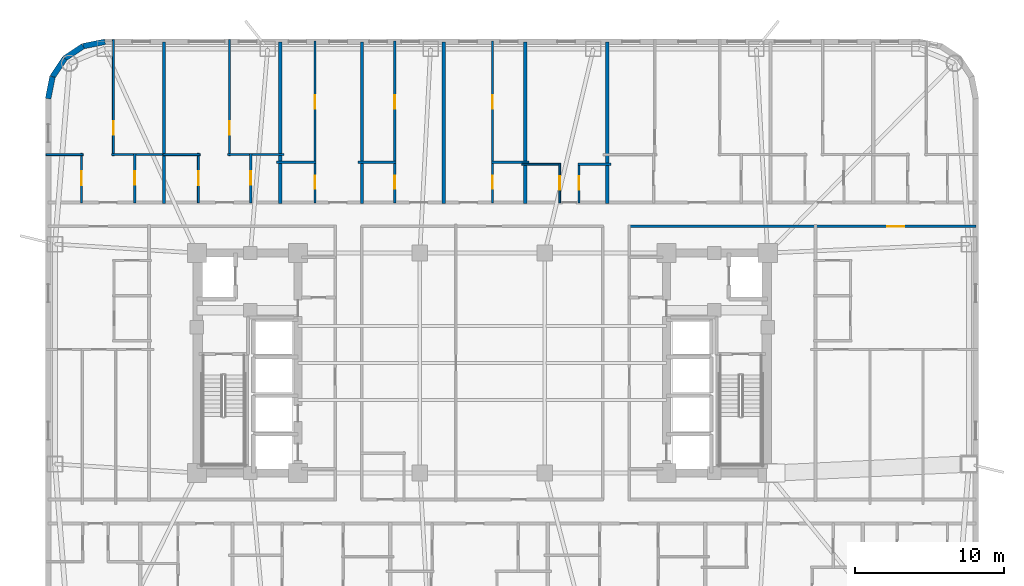
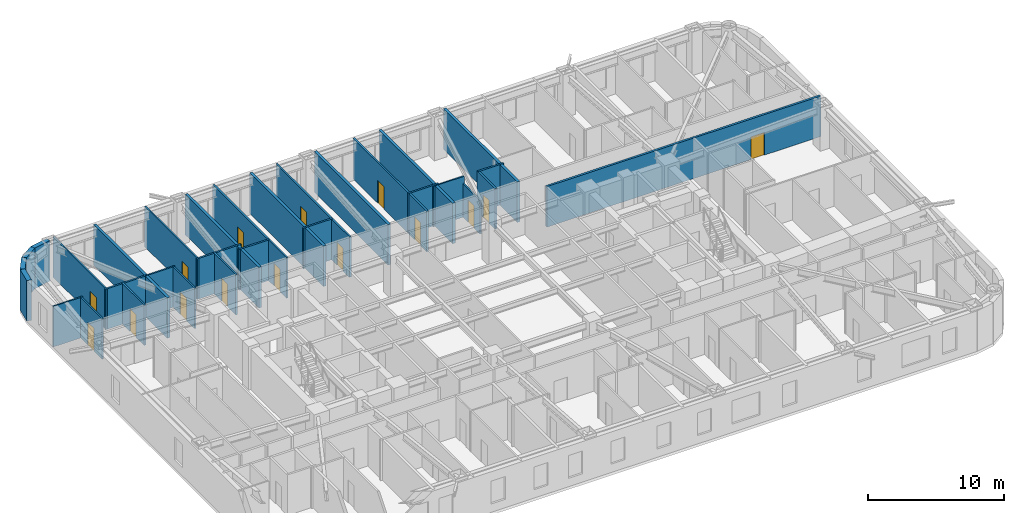
# One storey, part 8 of 12: 34 walls, 15 doors, 15 openings.
"""IFC4 building model written with IfcOpenShell, lengths in metres."""

import ifcopenshell
import ifcopenshell.guid

model = None  # the IFC model being written
_history = None  # IfcOwnerHistory: only IFC2X3 demands one
_inside = {}  # id of a spatial element -> (the spatial element, [elements in it])
_under = {}  # id of a project, library or spatial element -> (it, [spatial elements below it])
_declared = {}  # id of a project -> (the project, [libraries it declares])
_typed = {}  # id of a type object -> (the type object, [elements of that type])
_made_of = {}  # id of a material, layer set ... -> (it, [elements and type objects made of it])


def new_model(schema):
    """Start an empty IFC model of exactly this schema.

    Asked for "IFC4X3", IfcOpenShell would pick the latest addendum, in which some entities
    have other attributes; the version numbers below select the first issue.
    IFC2X3 requires an IfcOwnerHistory on every rooted entity: one is made here for all.
    """
    global model, _history
    if schema == "IFC4X3":
        model = ifcopenshell.file(schema_version=(4, 3, 0, 0))
    else:
        model = ifcopenshell.file(schema=schema)
    _inside.clear()
    _under.clear()
    _declared.clear()
    _typed.clear()
    _made_of.clear()
    _history = None
    if model.schema == "IFC2X3":
        org = make("IfcOrganization", Name="unknown")
        user = make(
            "IfcPersonAndOrganization",
            ThePerson=make("IfcPerson", FamilyName="unknown"),
            TheOrganization=org,
        )
        app = make(
            "IfcApplication",
            ApplicationDeveloper=org,
            Version="unknown",
            ApplicationFullName="unknown",
            ApplicationIdentifier="unknown",
        )
        _history = make(
            "IfcOwnerHistory",
            OwningUser=user,
            OwningApplication=app,
            ChangeAction="ADDED",
            CreationDate=0,
        )
    return model


def make(cls, **values):
    """One entity of the class cls with the attributes given. An attribute that is None is left unset."""
    return model.create_entity(
        cls, **{name: value for name, value in values.items() if value is not None}
    )


def rooted(cls, **values):
    """An entity with a GlobalId (a new one), such as an element, a storey or a relation."""
    return make(cls, GlobalId=ifcopenshell.guid.new(), OwnerHistory=_history, **values)


def si_unit(unit_type, name, prefix=None):
    """IfcSIUnit, for example si_unit("LENGTHUNIT", "METRE", prefix="MILLI")."""
    return make("IfcSIUnit", UnitType=unit_type, Prefix=prefix, Name=name)


def assignment(units):
    """IfcUnitAssignment: the units of a project."""
    return None if units is None else make("IfcUnitAssignment", Units=units)


def point(xyz):
    """IfcCartesianPoint."""
    return None if xyz is None else make("IfcCartesianPoint", Coordinates=xyz)


def direction(xyz):
    """IfcDirection."""
    return None if xyz is None else make("IfcDirection", DirectionRatios=xyz)


def frame(location, z_axis=None, x_axis=None):
    """IfcAxis2Placement3D, a coordinate frame: its origin and axes. An axis left out is left unset."""
    return make(
        "IfcAxis2Placement3D",
        Location=point(location),
        Axis=direction(z_axis),
        RefDirection=direction(x_axis),
    )


def frame_2d(location, x_axis=None):
    """IfcAxis2Placement2D, a coordinate frame in the plane: its origin and x axis."""
    return make(
        "IfcAxis2Placement2D", Location=point(location), RefDirection=direction(x_axis)
    )


def origin():
    """The frame at (0, 0, 0) with its axes left unset."""
    return frame((0.0, 0.0, 0.0))


def place(relative_to, where):
    """IfcLocalPlacement: puts the frame where relative to a parent placement (None: the world)."""
    return make(
        "IfcLocalPlacement", PlacementRelTo=relative_to, RelativePlacement=where
    )


def context(
    kind, dimensions, precision=None, world=None, true_north=None, identifier=None
):
    """IfcGeometricRepresentationContext, for example the 3D "Model" context."""
    return make(
        "IfcGeometricRepresentationContext",
        ContextIdentifier=identifier,
        ContextType=kind,
        CoordinateSpaceDimension=dimensions,
        Precision=precision,
        WorldCoordinateSystem=world,
        TrueNorth=true_north,
    )


def subcontext(parent, identifier, kind, view, scale=None):
    """IfcGeometricRepresentationSubContext, for example "Body" below "Model"."""
    return make(
        "IfcGeometricRepresentationSubContext",
        ContextIdentifier=identifier,
        ContextType=kind,
        ParentContext=parent,
        TargetScale=scale,
        TargetView=view,
    )


def project(units=None, contexts=None):
    """IfcProject with its units and contexts."""
    return rooted(
        "IfcProject",
        Name="project",
        RepresentationContexts=contexts,
        UnitsInContext=assignment(units),
    )


def spatial(cls, under=None, at=None, **own):
    """A site, building, storey or space (cls), placed at a placement, below another one or the project."""
    s = rooted(cls, ObjectPlacement=at, **own)
    if under is not None:
        _under.setdefault(under.id(), (under, []))[1].append(s)
    return s


def profile(cls, at=None, kind="AREA", **sizes):
    """A parametric profile (cls). Its sizes go by their IFC names, for example OverallWidth=200.0."""
    return make(cls, ProfileType=kind, Position=at, **sizes)


def rectangle(**sizes):
    """IfcRectangleProfileDef."""
    return profile("IfcRectangleProfileDef", **sizes)


def extrude(swept, where, along, depth):
    """IfcExtrudedAreaSolid: the profile swept, set in the frame where, extruded along a direction by depth."""
    return make(
        "IfcExtrudedAreaSolid",
        SweptArea=swept,
        Position=where,
        ExtrudedDirection=direction(along),
        Depth=depth,
    )


def shape(context_of_items, identifier, shape_type, items):
    """IfcShapeRepresentation: the items that make up one representation, for example the "Body"."""
    return make(
        "IfcShapeRepresentation",
        ContextOfItems=context_of_items,
        RepresentationIdentifier=identifier,
        RepresentationType=shape_type,
        Items=items,
    )


def material(Name=None, Category=None):
    """IfcMaterial."""
    return make("IfcMaterial", Name=Name, Category=Category)


def layer(
    of_material, thickness, ventilated=None, Name=None, Category=None, Priority=None
):
    """IfcMaterialLayer: one layer of a wall or slab, of a material (None: an air gap)."""
    return make(
        "IfcMaterialLayer",
        Material=of_material,
        LayerThickness=thickness,
        IsVentilated=ventilated,
        Name=Name,
        Category=Category,
        Priority=Priority,
    )


def layer_set(layers, Name=None):
    """IfcMaterialLayerSet."""
    return make("IfcMaterialLayerSet", MaterialLayers=layers, LayerSetName=Name)


def made_of(thing, what):
    """Note that an element or type object is made of a material, layer set ...; save() writes the relation."""
    if what is not None:
        _made_of.setdefault(what.id(), (what, []))[1].append(thing)
    return thing


def type_object(cls, material=None, **own):
    """A type object (cls), such as IfcWallType, which elements share."""
    return made_of(rooted(cls, **own), material)


def element(
    cls,
    number,
    at=None,
    inside=None,
    cuts=None,
    type_object=None,
    material=None,
    context=None,
    identifier="Body",
    shape_type=None,
    held_by="IfcProductDefinitionShape",
    body=None,
    shapes=None,
    **own,
):
    """One element of the class cls, such as IfcWall. Its Tag is "e" and its number.

    at: its placement. inside: the storey or other place that contains it. cuts: it is an
    opening in that element (IfcRelVoidsElement). A single representation is given by context,
    identifier, shape_type and body (its items); several are given by shapes. held_by: the class
    of the entity that holds the representations. save() writes the other relations.
    """
    e = rooted(cls, Tag="e%d" % number, ObjectPlacement=at, **own)
    if body is not None:
        shapes = [shape(context, identifier, shape_type, body)]
    if shapes is not None:
        e.Representation = make(held_by, Representations=shapes)
    if inside is not None:
        _inside.setdefault(inside.id(), (inside, []))[1].append(e)
    if cuts is not None:
        rooted(
            "IfcRelVoidsElement", RelatingBuildingElement=cuts, RelatedOpeningElement=e
        )
    if type_object is not None:
        _typed.setdefault(type_object.id(), (type_object, []))[1].append(e)
    return made_of(e, material)


def fill(opening, filler):
    """IfcRelFillsElement: the door or window that sits in an opening."""
    return rooted(
        "IfcRelFillsElement",
        RelatingOpeningElement=opening,
        RelatedBuildingElement=filler,
    )


def aggregate(whole, parts):
    """IfcRelAggregates: a whole, such as a stair, and the parts it consists of."""
    return rooted("IfcRelAggregates", RelatingObject=whole, RelatedObjects=parts)


def save(model, path):
    """Write the relations noted so far, then the file.

    IfcRelAggregates (storeys below a building ...), IfcRelContainedInSpatialStructure (elements
    in a storey), IfcRelDefinesByType, IfcRelAssociatesMaterial and IfcRelDeclares: one each for
    every whole, place, type object, material and project.
    """
    for whole, parts in _under.values():
        aggregate(whole, parts)
    for where, things in _inside.values():
        rooted(
            "IfcRelContainedInSpatialStructure",
            RelatedElements=things,
            RelatingStructure=where,
        )
    for kind, things in _typed.values():
        rooted("IfcRelDefinesByType", RelatedObjects=things, RelatingType=kind)
    for what, things in _made_of.values():
        rooted("IfcRelAssociatesMaterial", RelatedObjects=things, RelatingMaterial=what)
    for by, libraries in _declared.values():
        rooted("IfcRelDeclares", RelatingContext=by, RelatedDefinitions=libraries)
    model.write(path)


model = new_model("IFC4")

# Units and contexts
model_context = context("Model", 3, precision=1e-05, world=origin(), true_north=direction((0.0, 1.0)))
body_context = subcontext(model_context, "Body", "Model", "MODEL_VIEW")
ifc_project = project(units=[si_unit("LENGTHUNIT", "METRE"), si_unit("AREAUNIT", "SQUARE_METRE"), si_unit("VOLUMEUNIT", "CUBIC_METRE"), si_unit("PLANEANGLEUNIT", "RADIAN"), si_unit("MASSUNIT", "GRAM", prefix="KILO")], contexts=[model_context])

# Site, building, storey
site_placement = place(None, origin())
site = spatial("IfcSite", under=ifc_project, at=site_placement, CompositionType="ELEMENT")
building_placement = place(site_placement, origin())
building = spatial("IfcBuilding", under=site, at=building_placement, Name="Voryun Gate Residences", CompositionType="ELEMENT")
storey_placement = place(building_placement, frame((0.0, 0.0, 109.199951171875)))
storey = spatial("IfcBuildingStorey", under=building, at=storey_placement, Name="L26", CompositionType="ELEMENT", Elevation=109.199951171875)

# Wall, opening, door
ifc_material_1 = material(Name="Gypsum acoustic fireboard")
ifc_layer_1 = layer(ifc_material_1, 0.179931640625, Name="W_CORR_RATED_180")
ifc_layer_set_1 = layer_set([ifc_layer_1], Name="Gypsum acoustic fireboard")
wall_type_1 = type_object("IfcWallType", Name="W_CORR_RATED_180", PredefinedType="PARTITIONING", material=ifc_layer_set_1)
wall_1_placement = place(storey_placement, frame((9.8798828125, 9.18994140625, 0.0), z_axis=(0.0, 0.0, 1.0), x_axis=(1.0, 0.0, 0.0)))
wall_1 = element("IfcWall", 1, at=wall_1_placement, inside=storey, type_object=wall_type_1, Name="Partition wall WP-L26-CWING-EN", PredefinedType="PARTITIONING", context=body_context, shape_type="SweptSolid", body=[
    extrude(rectangle(XDim=23.330078125, YDim=0.179931640625, at=frame_2d((11.6650390625, 0.0))), origin(), (0.0, 0.0, 1.0), 3.650146484375),
])
opening_1_placement = place(wall_1_placement, frame((17.36572265625, 0.0, 0.0)))
opening_1 = element("IfcOpeningElement", 2, at=opening_1_placement, cuts=wall_1, Name="Opening D-UNIT-1", PredefinedType="OPENING", context=body_context, shape_type="SweptSolid", body=[
    extrude(rectangle(XDim=1.14990234375, YDim=2.050048828125, at=frame_2d((0.574951171875, 1.02490234375))), frame((0.0, 0.099853515625, 0.0), z_axis=(0.0, -1.0, 0.0), x_axis=(1.0, 0.0, 0.0)), (0.0, 0.0, 1.0), 0.199951171875),
])
ifc_material_2 = material(Name="Armoured timber-clad fire door", Category="wood")
door_type_1 = type_object("IfcDoorType", Name="DR_UNIT_ENTRY_1150", OperationType="NOTDEFINED", PredefinedType="DOOR", material=ifc_material_2)
door_1_placement = place(opening_1_placement, origin())
door_1 = element("IfcDoor", 3, at=door_1_placement, inside=storey, type_object=door_type_1, Name="Door DR-L26-EE1N", OperationType="SINGLE_SWING_LEFT", OverallHeight=2.050048828125, OverallWidth=1.14990234375, PredefinedType="DOOR", context=body_context, shape_type="SweptSolid", body=[
    extrude(rectangle(XDim=1.14990234375, YDim=2.050048828125, at=frame_2d((0.574951171875, 1.02490234375))), frame((0.0, 0.02490234375, 0.0), z_axis=(0.0, -1.0, 0.0), x_axis=(1.0, 0.0, 0.0)), (0.0, 0.0, 1.0), 0.050048828125),
])
fill(opening_1, door_1)

# Walls
ifc_material_3 = material(Name="Granite masonry", Category="masonry")
ifc_layer_2 = layer(ifc_material_3, 0.3798828125, Name="W_EXT_GRANITE_380")
ifc_layer_set_2 = layer_set([ifc_layer_2], Name="Granite masonry")
wall_type_2 = type_object("IfcWallType", Name="W_EXT_GRANITE_380", PredefinedType="ELEMENTEDWALL", material=ifc_layer_set_2)
wall_2_placement = place(storey_placement, frame((-29.2099609375, 17.78125, 0.0), z_axis=(0.0, 0.0, 1.0), x_axis=(0.195086038585, 0.980786132421, 0.0)))
element("IfcWall", 4, at=wall_2_placement, inside=storey, type_object=wall_type_2, Name="Exterior wall WEXT-L26-07", PredefinedType="ELEMENTEDWALL", context=body_context, shape_type="SweptSolid", body=[
    extrude(rectangle(XDim=1.504150390625, YDim=0.3798828125, at=frame_2d((0.751953125, 0.0))), origin(), (0.0, 0.0, 1.0), 3.650146484375),
])
wall_3_placement = place(storey_placement, frame((-28.91650390625, 19.256591796875, 0.0), z_axis=(0.0, 0.0, 1.0), x_axis=(0.555610286119, 0.831442848281, 0.0)))
element("IfcWall", 5, at=wall_3_placement, inside=storey, type_object=wall_type_2, Name="Exterior wall WEXT-L26-08", PredefinedType="ELEMENTEDWALL", context=body_context, shape_type="SweptSolid", body=[
    extrude(rectangle(XDim=1.485107421875, YDim=0.3798828125, at=frame_2d((0.74267578125, 0.0))), origin(), (0.0, 0.0, 1.0), 3.650146484375),
])
wall_4_placement = place(storey_placement, frame((-28.09130859375, 20.491455078125, 0.0), z_axis=(0.0, 0.0, 1.0), x_axis=(0.831468045563, 0.555572577804, 0.0)))
element("IfcWall", 6, at=wall_4_placement, inside=storey, type_object=wall_type_2, Name="Exterior wall WEXT-L26-09", PredefinedType="ELEMENTEDWALL", context=body_context, shape_type="SweptSolid", body=[
    extrude(rectangle(XDim=1.48486328125, YDim=0.3798828125, at=frame_2d((0.742431640625, 0.0))), origin(), (0.0, 0.0, 1.0), 3.650146484375),
])
wall_5_placement = place(storey_placement, frame((-26.856689453125, 21.31640625, 0.0), z_axis=(0.0, 0.0, 1.0), x_axis=(0.980755066645, 0.195242155415, 0.0)))
element("IfcWall", 7, at=wall_5_placement, inside=storey, type_object=wall_type_2, Name="Exterior wall WEXT-L26-10", PredefinedType="ELEMENTEDWALL", context=body_context, shape_type="SweptSolid", body=[
    extrude(rectangle(XDim=1.50439453125, YDim=0.3798828125, at=frame_2d((0.752197265625, 0.0))), origin(), (0.0, 0.0, 1.0), 3.650146484375),
])
ifc_material_4 = material(Name="Concrete C40/50", Category="concrete")
ifc_layer_3 = layer(ifc_material_4, 0.219970703125, Name="W_PARTY_ACOUSTIC_220")
ifc_layer_set_3 = layer_set([ifc_layer_3], Name="Concrete C40/50")
wall_type_3 = type_object("IfcWallType", Name="W_PARTY_ACOUSTIC_220", PredefinedType="PARTITIONING", material=ifc_layer_set_3)
for number, where, z_axis, x_axis, name in (
    (8, (-21.408935546875, 10.719970703125, 0.0), (0.0, 0.0, 1.0), (0.0, 1.0, 0.0), "Partition wall WP-L26-NPTY-1"),
    (9, (-13.60009765625, 10.719970703125, 0.0), (0.0, 0.0, 1.0), (0.0, 1.0, 0.0), "Partition wall WP-L26-NPTY-2"),
    (10, (-8.10009765625, 10.719970703125, 0.0), (0.0, 0.0, 1.0), (0.0, 1.0, 0.0), "Partition wall WP-L26-NPTY-3"),
    (11, (-2.60009765625, 10.719970703125, 0.0), (0.0, 0.0, 1.0), (0.0, 1.0, 0.0), "Partition wall WP-L26-NPTY-4"),
    (12, (2.89990234375, 10.719970703125, 0.0), (0.0, 0.0, 1.0), (0.0, 1.0, 0.0), "Partition wall WP-L26-NPTY-5"),
    (13, (8.39990234375, 10.719970703125, 0.0), (0.0, 0.0, 1.0), (0.0, 1.0, 0.0), "Partition wall WP-L26-NPTY-6"),
):
    element("IfcWall", number, at=place(storey_placement, frame(where, z_axis=z_axis, x_axis=x_axis)), inside=storey, type_object=wall_type_3, Name=name, PredefinedType="PARTITIONING", context=body_context, shape_type="SweptSolid", body=[
        extrude(rectangle(XDim=10.89013671875, YDim=0.219970703125, at=frame_2d((5.445068359375, 0.0))), origin(), (0.0, 0.0, 1.0), 3.650146484375),
    ])

# Wall, opening, door
ifc_material_5 = material(Name="Gypsum acoustic partition")
ifc_layer_4 = layer(ifc_material_5, 0.125, Name="W_UNIT_PART_125")
ifc_layer_set_4 = layer_set([ifc_layer_4], Name="Gypsum acoustic partition")
wall_type_4 = type_object("IfcWallType", Name="W_UNIT_PART_125", PredefinedType="PARTITIONING", material=ifc_layer_set_4)
wall_6_placement = place(storey_placement, frame((-24.819091796875, 13.93994140625, 0.0), z_axis=(0.0, 0.0, 1.0), x_axis=(0.0, 1.0, 0.0)))
wall_6 = element("IfcWall", 14, at=wall_6_placement, inside=storey, type_object=wall_type_4, Name="Partition wall WP-L26-N1-OVR", PredefinedType="PARTITIONING", context=body_context, shape_type="SweptSolid", body=[
    extrude(rectangle(XDim=7.820068359375, YDim=0.125, at=frame_2d((3.91015625, 0.0))), origin(), (0.0, 0.0, 1.0), 3.650146484375),
])
opening_2_placement = place(wall_6_placement, frame((1.4267578125, 0.0, 0.0)))
opening_2 = element("IfcOpeningElement", 15, at=opening_2_placement, cuts=wall_6, Name="Opening D-INT-2", PredefinedType="OPENING", context=body_context, shape_type="SweptSolid", body=[
    extrude(rectangle(XDim=0.89990234375, YDim=2.050048828125, at=frame_2d((0.449951171875, 1.02490234375))), frame((0.0, 0.072509765625, 0.0), z_axis=(0.0, -1.0, 0.0), x_axis=(1.0, 0.0, 0.0)), (0.0, 0.0, 1.0), 0.14501953125),
])
ifc_material_6 = material(Name="Architectural oak veneer")
door_type_2 = type_object("IfcDoorType", Name="DR_INT_BATH_900", OperationType="NOTDEFINED", PredefinedType="DOOR", material=ifc_material_6)
door_2_placement = place(opening_2_placement, origin())
door_2 = element("IfcDoor", 16, at=door_2_placement, inside=storey, type_object=door_type_2, Name="Door DR-L26-N1-DMB", OperationType="SINGLE_SWING_RIGHT", OverallHeight=2.050048828125, OverallWidth=0.89990234375, PredefinedType="DOOR", context=body_context, shape_type="SweptSolid", body=[
    extrude(rectangle(XDim=0.89990234375, YDim=2.050048828125, at=frame_2d((0.449951171875, 1.02490234375))), frame((0.0, 0.02490234375, 0.0), z_axis=(0.0, -1.0, 0.0), x_axis=(1.0, 0.0, 0.0)), (0.0, 0.0, 1.0), 0.050048828125),
])
fill(opening_2, door_2)

wall_7_placement = place(storey_placement, frame((-26.968017578125, 10.780029296875, 0.0), z_axis=(0.0, 0.0, 1.0), x_axis=(0.0, 1.0, 0.0)))
wall_7 = element("IfcWall", 17, at=wall_7_placement, inside=storey, type_object=wall_type_4, Name="Partition wall WP-L26-N1-IVK", PredefinedType="PARTITIONING", context=body_context, shape_type="SweptSolid", body=[
    extrude(rectangle(XDim=3.320068359375, YDim=0.125, at=frame_2d((1.66015625, 0.0))), origin(), (0.0, 0.0, 1.0), 3.650146484375),
])
opening_3_placement = place(wall_7_placement, frame((1.18505859375, 0.0, 0.0)))
opening_3 = element("IfcOpeningElement", 18, at=opening_3_placement, cuts=wall_7, Name="Opening D-INT-1", PredefinedType="OPENING", context=body_context, shape_type="SweptSolid", body=[
    extrude(rectangle(XDim=0.949951171875, YDim=2.050048828125, at=frame_2d((0.47509765625, 1.02490234375))), frame((0.0, 0.072509765625, 0.0), z_axis=(0.0, -1.0, 0.0), x_axis=(1.0, 0.0, 0.0)), (0.0, 0.0, 1.0), 0.14501953125),
])
ifc_material_7 = material(Name="Architectural oak veneer")
door_type_3 = type_object("IfcDoorType", Name="DR_INT_ROOM_950", OperationType="NOTDEFINED", PredefinedType="DOOR", material=ifc_material_7)
door_3_placement = place(opening_3_placement, origin())
door_3 = element("IfcDoor", 19, at=door_3_placement, inside=storey, type_object=door_type_3, Name="Door DR-L26-N1-DK", OperationType="SINGLE_SWING_LEFT", OverallHeight=2.050048828125, OverallWidth=0.949951171875, PredefinedType="DOOR", context=body_context, shape_type="SweptSolid", body=[
    extrude(rectangle(XDim=0.949951171875, YDim=2.050048828125, at=frame_2d((0.47509765625, 1.02490234375))), frame((0.0, 0.02490234375, 0.0), z_axis=(0.0, -1.0, 0.0), x_axis=(1.0, 0.0, 0.0)), (0.0, 0.0, 1.0), 0.050048828125),
])
fill(opening_3, door_3)

# Wall
wall_8_placement = place(storey_placement, frame((-29.360107421875, 14.02001953125, 0.0), z_axis=(0.0, 0.0, 1.0), x_axis=(1.0, 0.0, 0.0)))
element("IfcWall", 20, at=wall_8_placement, inside=storey, type_object=wall_type_4, Name="Partition wall WP-L26-N1-HZK", PredefinedType="PARTITIONING", context=body_context, shape_type="SweptSolid", body=[
    extrude(rectangle(XDim=2.51220703125, YDim=0.125, at=frame_2d((1.256103515625, 0.0))), origin(), (0.0, 0.0, 1.0), 3.650146484375),
])

# Wall, opening, door
wall_9_placement = place(storey_placement, frame((-17.010009765625, 13.93994140625, 0.0), z_axis=(0.0, 0.0, 1.0), x_axis=(0.0, 1.0, 0.0)))
wall_9 = element("IfcWall", 21, at=wall_9_placement, inside=storey, type_object=wall_type_4, Name="Partition wall WP-L26-N2-OVR", PredefinedType="PARTITIONING", context=body_context, shape_type="SweptSolid", body=[
    extrude(rectangle(XDim=7.820068359375, YDim=0.125, at=frame_2d((3.91015625, 0.0))), origin(), (0.0, 0.0, 1.0), 3.650146484375),
])
opening_4_placement = place(wall_9_placement, frame((1.4267578125, 0.0, 0.0)))
opening_4 = element("IfcOpeningElement", 22, at=opening_4_placement, cuts=wall_9, Name="Opening D-INT-2", PredefinedType="OPENING", context=body_context, shape_type="SweptSolid", body=[
    extrude(rectangle(XDim=0.89990234375, YDim=2.050048828125, at=frame_2d((0.449951171875, 1.02490234375))), frame((0.0, 0.072509765625, 0.0), z_axis=(0.0, -1.0, 0.0), x_axis=(1.0, 0.0, 0.0)), (0.0, 0.0, 1.0), 0.14501953125),
])
door_4_placement = place(opening_4_placement, origin())
door_4 = element("IfcDoor", 23, at=door_4_placement, inside=storey, type_object=door_type_2, Name="Door DR-L26-N2-DMB", OperationType="SINGLE_SWING_RIGHT", OverallHeight=2.050048828125, OverallWidth=0.89990234375, PredefinedType="DOOR", context=body_context, shape_type="SweptSolid", body=[
    extrude(rectangle(XDim=0.89990234375, YDim=2.050048828125, at=frame_2d((0.449951171875, 1.02490234375))), frame((0.0, 0.02490234375, 0.0), z_axis=(0.0, -1.0, 0.0), x_axis=(1.0, 0.0, 0.0)), (0.0, 0.0, 1.0), 0.050048828125),
])
fill(opening_4, door_4)

wall_10_placement = place(storey_placement, frame((-19.09912109375, 10.780029296875, 0.0), z_axis=(0.0, 0.0, 1.0), x_axis=(0.0, 1.0, 0.0)))
wall_10 = element("IfcWall", 24, at=wall_10_placement, inside=storey, type_object=wall_type_4, Name="Partition wall WP-L26-N2-IVK", PredefinedType="PARTITIONING", context=body_context, shape_type="SweptSolid", body=[
    extrude(rectangle(XDim=3.320068359375, YDim=0.125, at=frame_2d((1.66015625, 0.0))), origin(), (0.0, 0.0, 1.0), 3.650146484375),
])
opening_5_placement = place(wall_10_placement, frame((1.18505859375, 0.0, 0.0)))
opening_5 = element("IfcOpeningElement", 25, at=opening_5_placement, cuts=wall_10, Name="Opening D-INT-1", PredefinedType="OPENING", context=body_context, shape_type="SweptSolid", body=[
    extrude(rectangle(XDim=0.949951171875, YDim=2.050048828125, at=frame_2d((0.47509765625, 1.02490234375))), frame((0.0, 0.072509765625, 0.0), z_axis=(0.0, -1.0, 0.0), x_axis=(1.0, 0.0, 0.0)), (0.0, 0.0, 1.0), 0.14501953125),
])
door_5_placement = place(opening_5_placement, origin())
door_5 = element("IfcDoor", 26, at=door_5_placement, inside=storey, type_object=door_type_3, Name="Door DR-L26-N2-DK", OperationType="SINGLE_SWING_LEFT", OverallHeight=2.050048828125, OverallWidth=0.949951171875, PredefinedType="DOOR", context=body_context, shape_type="SweptSolid", body=[
    extrude(rectangle(XDim=0.949951171875, YDim=2.050048828125, at=frame_2d((0.47509765625, 1.02490234375))), frame((0.0, 0.02490234375, 0.0), z_axis=(0.0, -1.0, 0.0), x_axis=(1.0, 0.0, 0.0)), (0.0, 0.0, 1.0), 0.050048828125),
])
fill(opening_5, door_5)

# Wall
wall_11_placement = place(storey_placement, frame((-21.48388671875, 14.02001953125, 0.0), z_axis=(0.0, 0.0, 1.0), x_axis=(1.0, 0.0, 0.0)))
element("IfcWall", 27, at=wall_11_placement, inside=storey, type_object=wall_type_4, Name="Partition wall WP-L26-N2-HZK", PredefinedType="PARTITIONING", context=body_context, shape_type="SweptSolid", body=[
    extrude(rectangle(XDim=2.5048828125, YDim=0.125, at=frame_2d((1.25244140625, 0.0))), origin(), (0.0, 0.0, 1.0), 3.650146484375),
])

# Wall, opening, door
wall_12_placement = place(storey_placement, frame((5.2099609375, 10.780029296875, 0.0), z_axis=(0.0, 0.0, 1.0), x_axis=(0.0, 1.0, 0.0)))
wall_12 = element("IfcWall", 28, at=wall_12_placement, inside=storey, type_object=wall_type_4, Name="Partition wall WP-L26-N6-CVK", PredefinedType="PARTITIONING", context=body_context, shape_type="SweptSolid", body=[
    extrude(rectangle(XDim=2.64990234375, YDim=0.125, at=frame_2d((1.324951171875, 0.0))), origin(), (0.0, 0.0, 1.0), 3.0400390625),
])
opening_6_placement = place(wall_12_placement, frame((0.875, 0.0, 0.0)))
opening_6 = element("IfcOpeningElement", 29, at=opening_6_placement, cuts=wall_12, Name="Opening D-INT-2", PredefinedType="OPENING", context=body_context, shape_type="SweptSolid", body=[
    extrude(rectangle(XDim=0.89990234375, YDim=2.050048828125, at=frame_2d((0.449951171875, 1.02490234375))), frame((0.0, 0.072509765625, 0.0), z_axis=(0.0, -1.0, 0.0), x_axis=(1.0, 0.0, 0.0)), (0.0, 0.0, 1.0), 0.14501953125),
])
door_6_placement = place(opening_6_placement, origin())
door_6 = element("IfcDoor", 30, at=door_6_placement, inside=storey, type_object=door_type_2, Name="Door DR-L26-N6-DK", OperationType="SINGLE_SWING_LEFT", OverallHeight=2.050048828125, OverallWidth=0.89990234375, PredefinedType="DOOR", context=body_context, shape_type="SweptSolid", body=[
    extrude(rectangle(XDim=0.89990234375, YDim=2.050048828125, at=frame_2d((0.449951171875, 1.02490234375))), frame((0.0, 0.02490234375, 0.0), z_axis=(0.0, -1.0, 0.0), x_axis=(1.0, 0.0, 0.0)), (0.0, 0.0, 1.0), 0.050048828125),
])
fill(opening_6, door_6)

# Walls
wall_13_placement = place(storey_placement, frame((2.639892578125, 13.3701171875, 0.0), z_axis=(0.0, 0.0, 1.0), x_axis=(1.0, 0.0, 0.0)))
element("IfcWall", 31, at=wall_13_placement, inside=storey, type_object=wall_type_4, Name="Partition wall WP-L26-N6-CHK", PredefinedType="PARTITIONING", context=body_context, shape_type="SweptSolid", body=[
    extrude(rectangle(XDim=2.630126953125, YDim=0.125, at=frame_2d((1.31494140625, 0.0))), origin(), (0.0, 0.0, 1.0), 3.650146484375),
])
ifc_material_8 = material(Name="Gypsum moisture-resistant partition")
ifc_layer_5 = layer(ifc_material_8, 0.14990234375, Name="W_WET_PLUMB_150")
ifc_layer_set_5 = layer_set([ifc_layer_5], Name="Gypsum moisture-resistant partition")
wall_type_5 = type_object("IfcWallType", Name="W_WET_PLUMB_150", PredefinedType="PLUMBINGWALL", material=ifc_layer_set_5)
wall_14_placement = place(storey_placement, frame((-24.93896484375, 14.02001953125, 0.0), z_axis=(0.0, 0.0, 1.0), x_axis=(1.0, 0.0, 0.0)))
element("IfcWall", 32, at=wall_14_placement, inside=storey, type_object=wall_type_5, Name="Partition wall WP-L26-N1-HZB", PredefinedType="PLUMBINGWALL", context=body_context, shape_type="SweptSolid", body=[
    extrude(rectangle(XDim=3.60498046875, YDim=0.14990234375, at=frame_2d((1.802490234375, 0.0))), origin(), (0.0, 0.0, 1.0), 3.650146484375),
])

# Wall, opening, door
wall_15_placement = place(storey_placement, frame((-23.388916015625, 10.780029296875, 0.0), z_axis=(0.0, 0.0, 1.0), x_axis=(0.0, 1.0, 0.0)))
wall_15 = element("IfcWall", 33, at=wall_15_placement, inside=storey, type_object=wall_type_5, Name="Partition wall WP-L26-N1-IVB", PredefinedType="PLUMBINGWALL", context=body_context, shape_type="SweptSolid", body=[
    extrude(rectangle(XDim=3.320068359375, YDim=0.14990234375, at=frame_2d((1.66015625, 0.0))), origin(), (0.0, 0.0, 1.0), 3.650146484375),
])
opening_7_placement = place(wall_15_placement, frame((1.2099609375, 0.0, 0.0)))
opening_7 = element("IfcOpeningElement", 34, at=opening_7_placement, cuts=wall_15, Name="Opening D-INT-2", PredefinedType="OPENING", context=body_context, shape_type="SweptSolid", body=[
    extrude(rectangle(XDim=0.89990234375, YDim=2.050048828125, at=frame_2d((0.449951171875, 1.02490234375))), frame((0.0, 0.0849609375, 0.0), z_axis=(0.0, -1.0, 0.0), x_axis=(1.0, 0.0, 0.0)), (0.0, 0.0, 1.0), 0.169921875),
])
door_7_placement = place(opening_7_placement, origin())
door_7 = element("IfcDoor", 35, at=door_7_placement, inside=storey, type_object=door_type_2, Name="Door DR-L26-N1-DB", OperationType="SINGLE_SWING_RIGHT", OverallHeight=2.050048828125, OverallWidth=0.89990234375, PredefinedType="DOOR", context=body_context, shape_type="SweptSolid", body=[
    extrude(rectangle(XDim=0.89990234375, YDim=2.050048828125, at=frame_2d((0.449951171875, 1.02490234375))), frame((0.0, 0.02490234375, 0.0), z_axis=(0.0, -1.0, 0.0), x_axis=(1.0, 0.0, 0.0)), (0.0, 0.0, 1.0), 0.050048828125),
])
fill(opening_7, door_7)

# Wall
wall_16_placement = place(storey_placement, frame((-17.1298828125, 14.02001953125, 0.0), z_axis=(0.0, 0.0, 1.0), x_axis=(1.0, 0.0, 0.0)))
element("IfcWall", 36, at=wall_16_placement, inside=storey, type_object=wall_type_5, Name="Partition wall WP-L26-N2-HZB", PredefinedType="PLUMBINGWALL", context=body_context, shape_type="SweptSolid", body=[
    extrude(rectangle(XDim=3.789794921875, YDim=0.14990234375, at=frame_2d((1.89501953125, 0.0))), origin(), (0.0, 0.0, 1.0), 3.650146484375),
])

# Wall, opening, door
wall_17_placement = place(storey_placement, frame((-15.580078125, 10.780029296875, 0.0), z_axis=(0.0, 0.0, 1.0), x_axis=(0.0, 1.0, 0.0)))
wall_17 = element("IfcWall", 37, at=wall_17_placement, inside=storey, type_object=wall_type_5, Name="Partition wall WP-L26-N2-IVB", PredefinedType="PLUMBINGWALL", context=body_context, shape_type="SweptSolid", body=[
    extrude(rectangle(XDim=3.320068359375, YDim=0.14990234375, at=frame_2d((1.66015625, 0.0))), origin(), (0.0, 0.0, 1.0), 3.650146484375),
])
opening_8_placement = place(wall_17_placement, frame((1.2099609375, 0.0, 0.0)))
opening_8 = element("IfcOpeningElement", 38, at=opening_8_placement, cuts=wall_17, Name="Opening D-INT-2", PredefinedType="OPENING", context=body_context, shape_type="SweptSolid", body=[
    extrude(rectangle(XDim=0.89990234375, YDim=2.050048828125, at=frame_2d((0.449951171875, 1.02490234375))), frame((0.0, 0.0849609375, 0.0), z_axis=(0.0, -1.0, 0.0), x_axis=(1.0, 0.0, 0.0)), (0.0, 0.0, 1.0), 0.169921875),
])
door_8_placement = place(opening_8_placement, origin())
door_8 = element("IfcDoor", 39, at=door_8_placement, inside=storey, type_object=door_type_2, Name="Door DR-L26-N2-DB", OperationType="SINGLE_SWING_RIGHT", OverallHeight=2.050048828125, OverallWidth=0.89990234375, PredefinedType="DOOR", context=body_context, shape_type="SweptSolid", body=[
    extrude(rectangle(XDim=0.89990234375, YDim=2.050048828125, at=frame_2d((0.449951171875, 1.02490234375))), frame((0.0, 0.02490234375, 0.0), z_axis=(0.0, -1.0, 0.0), x_axis=(1.0, 0.0, 0.0)), (0.0, 0.0, 1.0), 0.050048828125),
])
fill(opening_8, door_8)

# Wall
wall_18_placement = place(storey_placement, frame((-13.860107421875, 13.5, 0.0), z_axis=(0.0, 0.0, 1.0), x_axis=(1.0, 0.0, 0.0)))
element("IfcWall", 40, at=wall_18_placement, inside=storey, type_object=wall_type_5, Name="Partition wall WP-L26-N3-SKB", PredefinedType="PLUMBINGWALL", context=body_context, shape_type="SweptSolid", body=[
    extrude(rectangle(XDim=2.68115234375, YDim=0.14990234375, at=frame_2d((1.340576171875, 0.0))), origin(), (0.0, 0.0, 1.0), 3.650146484375),
])

# Wall, opening, door
wall_19_placement = place(storey_placement, frame((-11.259033203125, 10.780029296875, 0.0), z_axis=(0.0, 0.0, 1.0), x_axis=(0.0, 1.0, 0.0)))
wall_19 = element("IfcWall", 41, at=wall_19_placement, inside=storey, type_object=wall_type_5, Name="Partition wall WP-L26-N3-SVT1", PredefinedType="PLUMBINGWALL", context=body_context, shape_type="SweptSolid", body=[
    extrude(rectangle(XDim=2.760009765625, YDim=0.14990234375, at=frame_2d((1.3798828125, 0.0))), origin(), (0.0, 0.0, 1.0), 3.650146484375),
])
opening_9_placement = place(wall_19_placement, frame((0.929931640625, 0.0, 0.0)))
opening_9 = element("IfcOpeningElement", 42, at=opening_9_placement, cuts=wall_19, Name="Opening D-INT-2", PredefinedType="OPENING", context=body_context, shape_type="SweptSolid", body=[
    extrude(rectangle(XDim=0.89990234375, YDim=2.050048828125, at=frame_2d((0.449951171875, 1.02490234375))), frame((0.0, 0.0849609375, 0.0), z_axis=(0.0, -1.0, 0.0), x_axis=(1.0, 0.0, 0.0)), (0.0, 0.0, 1.0), 0.169921875),
])
door_9_placement = place(opening_9_placement, origin())
door_9 = element("IfcDoor", 43, at=door_9_placement, inside=storey, type_object=door_type_2, Name="Door DR-L26-N3-DB", OperationType="SINGLE_SWING_LEFT", OverallHeight=2.050048828125, OverallWidth=0.89990234375, PredefinedType="DOOR", context=body_context, shape_type="SweptSolid", body=[
    extrude(rectangle(XDim=0.89990234375, YDim=2.050048828125, at=frame_2d((0.449951171875, 1.02490234375))), frame((0.0, 0.02490234375, 0.0), z_axis=(0.0, -1.0, 0.0), x_axis=(1.0, 0.0, 0.0)), (0.0, 0.0, 1.0), 0.050048828125),
])
fill(opening_9, door_9)

wall_20_placement = place(storey_placement, frame((-11.259033203125, 13.4599609375, 0.0), z_axis=(0.0, 0.0, 1.0), x_axis=(0.0, 1.0, 0.0)))
wall_20 = element("IfcWall", 44, at=wall_20_placement, inside=storey, type_object=wall_type_5, Name="Partition wall WP-L26-N3-SVT2", PredefinedType="PLUMBINGWALL", context=body_context, shape_type="SweptSolid", body=[
    extrude(rectangle(XDim=8.19775390625, YDim=0.14990234375, at=frame_2d((4.098876953125, 0.0))), origin(), (0.0, 0.0, 1.0), 3.650146484375),
])
opening_10_placement = place(wall_20_placement, frame((3.648681640625, 0.0, 0.0)))
opening_10 = element("IfcOpeningElement", 45, at=opening_10_placement, cuts=wall_20, Name="Opening D-INT-2", PredefinedType="OPENING", context=body_context, shape_type="SweptSolid", body=[
    extrude(rectangle(XDim=0.89990234375, YDim=2.050048828125, at=frame_2d((0.449951171875, 1.02490234375))), frame((0.0, 0.0849609375, 0.0), z_axis=(0.0, -1.0, 0.0), x_axis=(1.0, 0.0, 0.0)), (0.0, 0.0, 1.0), 0.169921875),
])
door_10_placement = place(opening_10_placement, origin())
door_10 = element("IfcDoor", 46, at=door_10_placement, inside=storey, type_object=door_type_2, Name="Door DR-L26-N3-DK", OperationType="SINGLE_SWING_RIGHT", OverallHeight=2.050048828125, OverallWidth=0.89990234375, PredefinedType="DOOR", context=body_context, shape_type="SweptSolid", body=[
    extrude(rectangle(XDim=0.89990234375, YDim=2.050048828125, at=frame_2d((0.449951171875, 1.02490234375))), frame((0.0, 0.02490234375, 0.0), z_axis=(0.0, -1.0, 0.0), x_axis=(1.0, 0.0, 0.0)), (0.0, 0.0, 1.0), 0.050048828125),
])
fill(opening_10, door_10)

# Wall
wall_21_placement = place(storey_placement, frame((-8.360107421875, 13.5, 0.0), z_axis=(0.0, 0.0, 1.0), x_axis=(1.0, 0.0, 0.0)))
element("IfcWall", 47, at=wall_21_placement, inside=storey, type_object=wall_type_5, Name="Partition wall WP-L26-N4-SKB", PredefinedType="PLUMBINGWALL", context=body_context, shape_type="SweptSolid", body=[
    extrude(rectangle(XDim=2.550048828125, YDim=0.14990234375, at=frame_2d((1.27490234375, 0.0))), origin(), (0.0, 0.0, 1.0), 3.650146484375),
])

# Wall, opening, door
wall_22_placement = place(storey_placement, frame((-5.889892578125, 10.780029296875, 0.0), z_axis=(0.0, 0.0, 1.0), x_axis=(0.0, 1.0, 0.0)))
wall_22 = element("IfcWall", 48, at=wall_22_placement, inside=storey, type_object=wall_type_5, Name="Partition wall WP-L26-N4-SVT1", PredefinedType="PLUMBINGWALL", context=body_context, shape_type="SweptSolid", body=[
    extrude(rectangle(XDim=2.760009765625, YDim=0.14990234375, at=frame_2d((1.3798828125, 0.0))), origin(), (0.0, 0.0, 1.0), 3.650146484375),
])
opening_11_placement = place(wall_22_placement, frame((0.929931640625, 0.0, 0.0)))
opening_11 = element("IfcOpeningElement", 49, at=opening_11_placement, cuts=wall_22, Name="Opening D-INT-2", PredefinedType="OPENING", context=body_context, shape_type="SweptSolid", body=[
    extrude(rectangle(XDim=0.89990234375, YDim=2.050048828125, at=frame_2d((0.449951171875, 1.02490234375))), frame((0.0, 0.0849609375, 0.0), z_axis=(0.0, -1.0, 0.0), x_axis=(1.0, 0.0, 0.0)), (0.0, 0.0, 1.0), 0.169921875),
])
door_11_placement = place(opening_11_placement, origin())
door_11 = element("IfcDoor", 50, at=door_11_placement, inside=storey, type_object=door_type_2, Name="Door DR-L26-N4-DB", OperationType="SINGLE_SWING_LEFT", OverallHeight=2.050048828125, OverallWidth=0.89990234375, PredefinedType="DOOR", context=body_context, shape_type="SweptSolid", body=[
    extrude(rectangle(XDim=0.89990234375, YDim=2.050048828125, at=frame_2d((0.449951171875, 1.02490234375))), frame((0.0, 0.02490234375, 0.0), z_axis=(0.0, -1.0, 0.0), x_axis=(1.0, 0.0, 0.0)), (0.0, 0.0, 1.0), 0.050048828125),
])
fill(opening_11, door_11)

wall_23_placement = place(storey_placement, frame((-5.889892578125, 13.4599609375, 0.0), z_axis=(0.0, 0.0, 1.0), x_axis=(0.0, 1.0, 0.0)))
wall_23 = element("IfcWall", 51, at=wall_23_placement, inside=storey, type_object=wall_type_5, Name="Partition wall WP-L26-N4-SVT2", PredefinedType="PLUMBINGWALL", context=body_context, shape_type="SweptSolid", body=[
    extrude(rectangle(XDim=8.19775390625, YDim=0.14990234375, at=frame_2d((4.098876953125, 0.0))), origin(), (0.0, 0.0, 1.0), 3.650146484375),
])
opening_12_placement = place(wall_23_placement, frame((3.648681640625, 0.0, 0.0)))
opening_12 = element("IfcOpeningElement", 52, at=opening_12_placement, cuts=wall_23, Name="Opening D-INT-2", PredefinedType="OPENING", context=body_context, shape_type="SweptSolid", body=[
    extrude(rectangle(XDim=0.89990234375, YDim=2.050048828125, at=frame_2d((0.449951171875, 1.02490234375))), frame((0.0, 0.0849609375, 0.0), z_axis=(0.0, -1.0, 0.0), x_axis=(1.0, 0.0, 0.0)), (0.0, 0.0, 1.0), 0.169921875),
])
door_12_placement = place(opening_12_placement, origin())
door_12 = element("IfcDoor", 53, at=door_12_placement, inside=storey, type_object=door_type_2, Name="Door DR-L26-N4-DK", OperationType="SINGLE_SWING_RIGHT", OverallHeight=2.050048828125, OverallWidth=0.89990234375, PredefinedType="DOOR", context=body_context, shape_type="SweptSolid", body=[
    extrude(rectangle(XDim=0.89990234375, YDim=2.050048828125, at=frame_2d((0.449951171875, 1.02490234375))), frame((0.0, 0.02490234375, 0.0), z_axis=(0.0, -1.0, 0.0), x_axis=(1.0, 0.0, 0.0)), (0.0, 0.0, 1.0), 0.050048828125),
])
fill(opening_12, door_12)

# Wall
wall_24_placement = place(storey_placement, frame((0.610107421875, 13.5, 0.0), z_axis=(0.0, 0.0, 1.0), x_axis=(1.0, 0.0, 0.0)))
element("IfcWall", 54, at=wall_24_placement, inside=storey, type_object=wall_type_5, Name="Partition wall WP-L26-N5-SKB", PredefinedType="PLUMBINGWALL", context=body_context, shape_type="SweptSolid", body=[
    extrude(rectangle(XDim=2.5498046875, YDim=0.14990234375, at=frame_2d((1.27490234375, 0.0))), origin(), (0.0, 0.0, 1.0), 3.650146484375),
])

# Wall, opening, door
wall_25_placement = place(storey_placement, frame((0.68994140625, 10.780029296875, 0.0), z_axis=(0.0, 0.0, 1.0), x_axis=(0.0, 1.0, 0.0)))
wall_25 = element("IfcWall", 55, at=wall_25_placement, inside=storey, type_object=wall_type_5, Name="Partition wall WP-L26-N5-SVT1", PredefinedType="PLUMBINGWALL", context=body_context, shape_type="SweptSolid", body=[
    extrude(rectangle(XDim=2.760009765625, YDim=0.14990234375, at=frame_2d((1.3798828125, 0.0))), origin(), (0.0, 0.0, 1.0), 3.650146484375),
])
opening_13_placement = place(wall_25_placement, frame((0.929931640625, 0.0, 0.0)))
opening_13 = element("IfcOpeningElement", 56, at=opening_13_placement, cuts=wall_25, Name="Opening D-INT-2", PredefinedType="OPENING", context=body_context, shape_type="SweptSolid", body=[
    extrude(rectangle(XDim=0.89990234375, YDim=2.050048828125, at=frame_2d((0.449951171875, 1.02490234375))), frame((0.0, 0.0849609375, 0.0), z_axis=(0.0, -1.0, 0.0), x_axis=(1.0, 0.0, 0.0)), (0.0, 0.0, 1.0), 0.169921875),
])
door_13_placement = place(opening_13_placement, origin())
door_13 = element("IfcDoor", 57, at=door_13_placement, inside=storey, type_object=door_type_2, Name="Door DR-L26-N5-DB", OperationType="SINGLE_SWING_LEFT", OverallHeight=2.050048828125, OverallWidth=0.89990234375, PredefinedType="DOOR", context=body_context, shape_type="SweptSolid", body=[
    extrude(rectangle(XDim=0.89990234375, YDim=2.050048828125, at=frame_2d((0.449951171875, 1.02490234375))), frame((0.0, 0.02490234375, 0.0), z_axis=(0.0, -1.0, 0.0), x_axis=(1.0, 0.0, 0.0)), (0.0, 0.0, 1.0), 0.050048828125),
])
fill(opening_13, door_13)

wall_26_placement = place(storey_placement, frame((0.68994140625, 13.4599609375, 0.0), z_axis=(0.0, 0.0, 1.0), x_axis=(0.0, 1.0, 0.0)))
wall_26 = element("IfcWall", 58, at=wall_26_placement, inside=storey, type_object=wall_type_5, Name="Partition wall WP-L26-N5-SVT2", PredefinedType="PLUMBINGWALL", context=body_context, shape_type="SweptSolid", body=[
    extrude(rectangle(XDim=8.19775390625, YDim=0.14990234375, at=frame_2d((4.098876953125, 0.0))), origin(), (0.0, 0.0, 1.0), 3.650146484375),
])
opening_14_placement = place(wall_26_placement, frame((3.648681640625, 0.0, 0.0)))
opening_14 = element("IfcOpeningElement", 59, at=opening_14_placement, cuts=wall_26, Name="Opening D-INT-2", PredefinedType="OPENING", context=body_context, shape_type="SweptSolid", body=[
    extrude(rectangle(XDim=0.89990234375, YDim=2.050048828125, at=frame_2d((0.449951171875, 1.02490234375))), frame((0.0, 0.0849609375, 0.0), z_axis=(0.0, -1.0, 0.0), x_axis=(1.0, 0.0, 0.0)), (0.0, 0.0, 1.0), 0.169921875),
])
door_14_placement = place(opening_14_placement, origin())
door_14 = element("IfcDoor", 60, at=door_14_placement, inside=storey, type_object=door_type_2, Name="Door DR-L26-N5-DK", OperationType="SINGLE_SWING_RIGHT", OverallHeight=2.050048828125, OverallWidth=0.89990234375, PredefinedType="DOOR", context=body_context, shape_type="SweptSolid", body=[
    extrude(rectangle(XDim=0.89990234375, YDim=2.050048828125, at=frame_2d((0.449951171875, 1.02490234375))), frame((0.0, 0.02490234375, 0.0), z_axis=(0.0, -1.0, 0.0), x_axis=(1.0, 0.0, 0.0)), (0.0, 0.0, 1.0), 0.050048828125),
])
fill(opening_14, door_14)

wall_27_placement = place(storey_placement, frame((6.510986328125, 10.780029296875, 0.0), z_axis=(0.0, 0.0, 1.0), x_axis=(0.0, 1.0, 0.0)))
wall_27 = element("IfcWall", 61, at=wall_27_placement, inside=storey, type_object=wall_type_5, Name="Partition wall WP-L26-N6-CVB", PredefinedType="PLUMBINGWALL", context=body_context, shape_type="SweptSolid", body=[
    extrude(rectangle(XDim=2.64990234375, YDim=0.14990234375, at=frame_2d((1.324951171875, 0.0))), origin(), (0.0, 0.0, 1.0), 3.650146484375),
])
opening_15_placement = place(wall_27_placement, frame((0.875, 0.0, 0.0)))
opening_15 = element("IfcOpeningElement", 62, at=opening_15_placement, cuts=wall_27, Name="Opening D-INT-2", PredefinedType="OPENING", context=body_context, shape_type="SweptSolid", body=[
    extrude(rectangle(XDim=0.89990234375, YDim=2.050048828125, at=frame_2d((0.449951171875, 1.02490234375))), frame((0.0, 0.0849609375, 0.0), z_axis=(0.0, -1.0, 0.0), x_axis=(1.0, 0.0, 0.0)), (0.0, 0.0, 1.0), 0.169921875),
])
door_15_placement = place(opening_15_placement, origin())
door_15 = element("IfcDoor", 63, at=door_15_placement, inside=storey, type_object=door_type_2, Name="Door DR-L26-N6-DB", OperationType="SINGLE_SWING_RIGHT", OverallHeight=2.050048828125, OverallWidth=0.89990234375, PredefinedType="DOOR", context=body_context, shape_type="SweptSolid", body=[
    extrude(rectangle(XDim=0.89990234375, YDim=2.050048828125, at=frame_2d((0.449951171875, 1.02490234375))), frame((0.0, 0.02490234375, 0.0), z_axis=(0.0, -1.0, 0.0), x_axis=(1.0, 0.0, 0.0)), (0.0, 0.0, 1.0), 0.050048828125),
])
fill(opening_15, door_15)

# Wall
wall_28_placement = place(storey_placement, frame((6.450927734375, 13.3701171875, 0.0), z_axis=(0.0, 0.0, 1.0), x_axis=(1.0, 0.0, 0.0)))
element("IfcWall", 64, at=wall_28_placement, inside=storey, type_object=wall_type_5, Name="Partition wall WP-L26-N6-CHB", PredefinedType="PLUMBINGWALL", context=body_context, shape_type="SweptSolid", body=[
    extrude(rectangle(XDim=2.208984375, YDim=0.14990234375, at=frame_2d((1.1044921875, 0.0))), origin(), (0.0, 0.0, 1.0), 3.650146484375),
])

save(model, "model.ifc")
